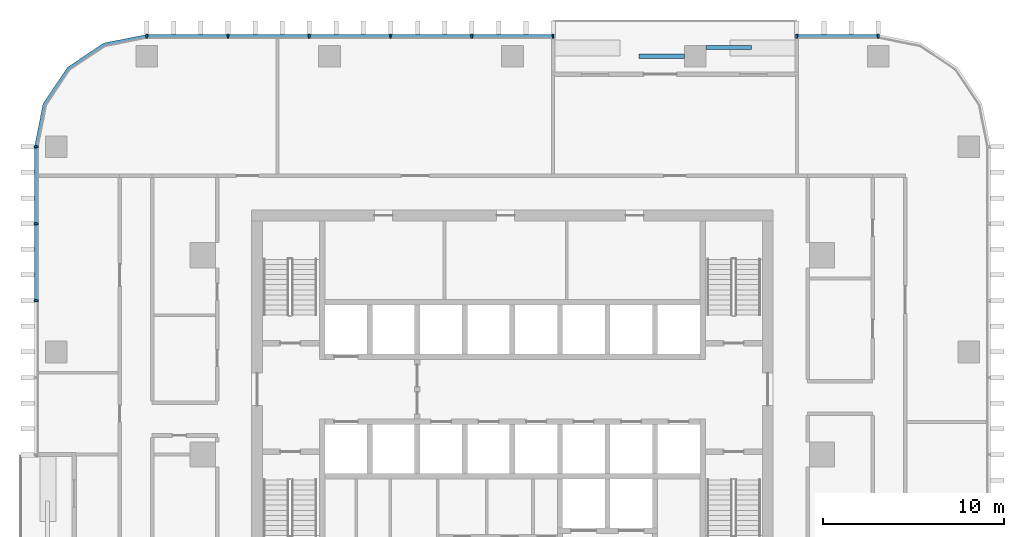
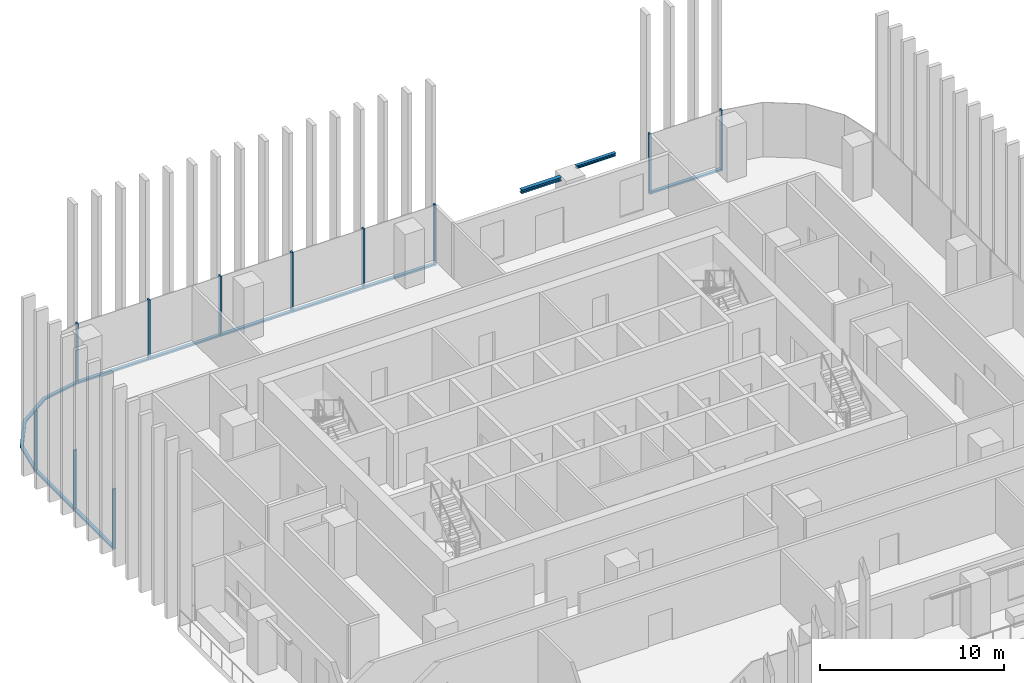
# One storey, part 4 of 16: 20 members, 2 beams, 4 elements without a shape of their own.
"""IFC4 building model written with IfcOpenShell, lengths in metres."""

from ifc_helpers import new_model, si_unit, direction, frame, origin, origin_2d, place, context, subcontext, project, spatial, polyline, rectangle, i_section, outline, extrude, material, material_profile, profile_set, type_object, element, aggregate, save


model = new_model("IFC4")

# Units and contexts
model_context = context("Model", 3, precision=1e-05, world=origin(), true_north=direction((0.0, 1.0)))
body_context = subcontext(model_context, "Body", "Model", "MODEL_VIEW")
ifc_project = project(units=[si_unit("LENGTHUNIT", "METRE"), si_unit("AREAUNIT", "SQUARE_METRE"), si_unit("VOLUMEUNIT", "CUBIC_METRE"), si_unit("PLANEANGLEUNIT", "RADIAN"), si_unit("MASSUNIT", "GRAM", prefix="KILO")], contexts=[model_context])

# Site, building, storey
site_placement = place(None, origin())
site = spatial("IfcSite", under=ifc_project, at=site_placement, CompositionType="ELEMENT")
building_placement = place(site_placement, origin())
building = spatial("IfcBuilding", under=site, at=building_placement, Name="Mopane Tessera Tower", CompositionType="ELEMENT")
storey_placement = place(building_placement, frame((0.0, 0.0, 193.0)))
storey = spatial("IfcBuildingStorey", under=building, at=storey_placement, Name="L40", CompositionType="ELEMENT", Elevation=193.0)

# Curtain wall, members
ifc_material_1 = material(Name="Aluminium frame", Category="aluminium")
curtain_wall_type = type_object("IfcCurtainWallType", Name="Unitised curtain wall", PredefinedType="NOTDEFINED", material=ifc_material_1)
curtain_wall_1_placement = place(storey_placement, origin())
curtain_wall_1 = element("IfcCurtainWall", 1, at=curtain_wall_1_placement, inside=storey, type_object=curtain_wall_type, Name="e:cw:L40:N:0", PredefinedType="NOTDEFINED")
ifc_material_2 = material(Name="Aluminium frame", Category="aluminium")
ifc_material_profile_1 = material_profile(ifc_material_2, rectangle(XDim=0.10009765625, YDim=0.199951171875, at=origin_2d()))
ifc_profile_set_1 = profile_set([ifc_material_profile_1], Name="Aluminium frame")
member_type_1 = type_object("IfcMemberType", Name="Aluminium mullion 100 x 200", PredefinedType="MULLION", material=ifc_profile_set_1)
member_1_placement = place(storey_placement, frame((20.199951171875, 23.10009765625, -0.39990234375), z_axis=(0.0, 0.0, 1.0), x_axis=(-1.0, 0.0, 0.0)))
member_1 = element("IfcMember", 2, at=member_1_placement, type_object=member_type_1, Name="e:cw:L40:N:0:mu0", PredefinedType="MULLION", context=body_context, shape_type="SweptSolid", body=[
    extrude(rectangle(XDim=0.10009765625, YDim=0.199951171875, at=origin_2d()), origin(), (0.0, 0.0, 1.0), 4.0),
])
member_2_placement = place(storey_placement, frame((15.711181640625, 23.10009765625, -0.39990234375), z_axis=(0.0, 0.0, 1.0), x_axis=(-1.0, 0.0, 0.0)))
member_2 = element("IfcMember", 3, at=member_2_placement, type_object=member_type_1, Name="e:cw:L40:N:0:mu1", PredefinedType="MULLION", context=body_context, shape_type="SweptSolid", body=[
    extrude(rectangle(XDim=0.10009765625, YDim=0.199951171875, at=origin_2d()), origin(), (0.0, 0.0, 1.0), 4.0),
])

curtain_wall_2_placement = place(storey_placement, origin())
curtain_wall_2 = element("IfcCurtainWall", 4, at=curtain_wall_2_placement, inside=storey, type_object=curtain_wall_type, Name="e:cw:L40:N:4", PredefinedType="NOTDEFINED")
member_3_placement = place(storey_placement, frame((2.244384765625, 23.10009765625, -0.39990234375), z_axis=(0.0, 0.0, 1.0), x_axis=(-1.0, 0.0, 0.0)))
member_3 = element("IfcMember", 5, at=member_3_placement, type_object=member_type_1, Name="e:cw:L40:N:4:mu4", PredefinedType="MULLION", context=body_context, shape_type="SweptSolid", body=[
    extrude(rectangle(XDim=0.10009765625, YDim=0.199951171875, at=origin_2d()), origin(), (0.0, 0.0, 1.0), 4.0),
])
member_4_placement = place(storey_placement, frame((-2.244384765625, 23.10009765625, -0.39990234375), z_axis=(0.0, 0.0, 1.0), x_axis=(-1.0, 0.0, 0.0)))
member_4 = element("IfcMember", 6, at=member_4_placement, type_object=member_type_1, Name="e:cw:L40:N:4:mu5", PredefinedType="MULLION", context=body_context, shape_type="SweptSolid", body=[
    extrude(rectangle(XDim=0.10009765625, YDim=0.199951171875, at=origin_2d()), origin(), (0.0, 0.0, 1.0), 4.0),
])
member_5_placement = place(storey_placement, frame((-6.7333984375, 23.10009765625, -0.39990234375), z_axis=(0.0, 0.0, 1.0), x_axis=(-1.0, 0.0, 0.0)))
member_5 = element("IfcMember", 7, at=member_5_placement, type_object=member_type_1, Name="e:cw:L40:N:4:mu6", PredefinedType="MULLION", context=body_context, shape_type="SweptSolid", body=[
    extrude(rectangle(XDim=0.10009765625, YDim=0.199951171875, at=origin_2d()), origin(), (0.0, 0.0, 1.0), 4.0),
])
member_6_placement = place(storey_placement, frame((-11.22216796875, 23.10009765625, -0.39990234375), z_axis=(0.0, 0.0, 1.0), x_axis=(-1.0, 0.0, 0.0)))
member_6 = element("IfcMember", 8, at=member_6_placement, type_object=member_type_1, Name="e:cw:L40:N:4:mu7", PredefinedType="MULLION", context=body_context, shape_type="SweptSolid", body=[
    extrude(rectangle(XDim=0.10009765625, YDim=0.199951171875, at=origin_2d()), origin(), (0.0, 0.0, 1.0), 4.0),
])
member_7_placement = place(storey_placement, frame((-15.711181640625, 23.10009765625, -0.39990234375), z_axis=(0.0, 0.0, 1.0), x_axis=(-1.0, 0.0, 0.0)))
member_7 = element("IfcMember", 9, at=member_7_placement, type_object=member_type_1, Name="e:cw:L40:N:4:mu8", PredefinedType="MULLION", context=body_context, shape_type="SweptSolid", body=[
    extrude(rectangle(XDim=0.10009765625, YDim=0.199951171875, at=origin_2d()), origin(), (0.0, 0.0, 1.0), 4.0),
])
member_8_placement = place(storey_placement, frame((-20.199951171875, 23.10009765625, -0.39990234375), z_axis=(0.0, 0.0, 1.0), x_axis=(-1.0, 0.0, 0.0)))
member_8 = element("IfcMember", 10, at=member_8_placement, type_object=member_type_1, Name="e:cw:L40:N:4:mu9", PredefinedType="MULLION", context=body_context, shape_type="SweptSolid", body=[
    extrude(rectangle(XDim=0.10009765625, YDim=0.199951171875, at=origin_2d()), origin(), (0.0, 0.0, 1.0), 4.0),
])

curtain_wall_3_placement = place(storey_placement, origin())
curtain_wall_3 = element("IfcCurtainWall", 11, at=curtain_wall_3_placement, inside=storey, type_object=curtain_wall_type, Name="e:cw:L40:W:0", PredefinedType="NOTDEFINED")
member_9_placement = place(storey_placement, frame((-26.300048828125, 17.0, -0.39990234375), z_axis=(0.0, 0.0, 1.0), x_axis=(0.0, -1.0, 0.0)))
member_9 = element("IfcMember", 12, at=member_9_placement, type_object=member_type_1, Name="e:cw:L40:W:0:mu0", PredefinedType="MULLION", context=body_context, shape_type="SweptSolid", body=[
    extrude(rectangle(XDim=0.10009765625, YDim=0.199951171875, at=origin_2d()), origin(), (0.0, 0.0, 1.0), 4.0),
])
member_10_placement = place(storey_placement, frame((-26.300048828125, 12.75, -0.39990234375), z_axis=(0.0, 0.0, 1.0), x_axis=(0.0, -1.0, 0.0)))
member_10 = element("IfcMember", 13, at=member_10_placement, type_object=member_type_1, Name="e:cw:L40:W:0:mu1", PredefinedType="MULLION", context=body_context, shape_type="SweptSolid", body=[
    extrude(rectangle(XDim=0.10009765625, YDim=0.199951171875, at=origin_2d()), origin(), (0.0, 0.0, 1.0), 4.0),
])
member_11_placement = place(storey_placement, frame((-26.300048828125, 8.5, -0.39990234375), z_axis=(0.0, 0.0, 1.0), x_axis=(0.0, -1.0, 0.0)))
member_11 = element("IfcMember", 14, at=member_11_placement, type_object=member_type_1, Name="e:cw:L40:W:0:mu2", PredefinedType="MULLION", context=body_context, shape_type="SweptSolid", body=[
    extrude(rectangle(XDim=0.10009765625, YDim=0.199951171875, at=origin_2d()), origin(), (0.0, 0.0, 1.0), 4.0),
])

# Member
ifc_material_3 = material(Name="Aluminium frame", Category="aluminium")
ifc_material_profile_2 = material_profile(ifc_material_3, rectangle(XDim=0.199951171875, YDim=0.1201171875, at=origin_2d()))
ifc_profile_set_2 = profile_set([ifc_material_profile_2], Name="Aluminium frame")
member_type_2 = type_object("IfcMemberType", Name="Aluminium transom 200 x 120", PredefinedType="USERDEFINED", material=ifc_profile_set_2)
member_12_placement = place(storey_placement, frame((20.14990234375, 23.10009765625, -0.340087890625), z_axis=(-1.0, 0.0, 0.0), x_axis=(0.0, -1.0, 0.0)))
member_12 = element("IfcMember", 15, at=member_12_placement, type_object=member_type_2, Name="e:cw:L40:N:0:tr0", ObjectType="TRANSOM", PredefinedType="USERDEFINED", context=body_context, shape_type="SweptSolid", body=[
    extrude(rectangle(XDim=0.199951171875, YDim=0.1201171875, at=origin_2d()), origin(), (0.0, 0.0, 1.0), 4.388671875),
])

aggregate(curtain_wall_1, [member_1, member_2, member_12])

member_13_placement = place(storey_placement, frame((2.1943359375, 23.10009765625, -0.340087890625), z_axis=(-1.0, 0.0, 0.0), x_axis=(0.0, -1.0, 0.0)))
member_13 = element("IfcMember", 16, at=member_13_placement, type_object=member_type_2, Name="e:cw:L40:N:4:tr4", ObjectType="TRANSOM", PredefinedType="USERDEFINED", context=body_context, shape_type="SweptSolid", body=[
    extrude(rectangle(XDim=0.199951171875, YDim=0.1201171875, at=origin_2d()), origin(), (0.0, 0.0, 1.0), 4.388671875),
])

member_14_placement = place(storey_placement, frame((-2.29443359375, 23.10009765625, -0.340087890625), z_axis=(-1.0, 0.0, 0.0), x_axis=(0.0, -1.0, 0.0)))
member_14 = element("IfcMember", 17, at=member_14_placement, type_object=member_type_2, Name="e:cw:L40:N:4:tr5", ObjectType="TRANSOM", PredefinedType="USERDEFINED", context=body_context, shape_type="SweptSolid", body=[
    extrude(rectangle(XDim=0.199951171875, YDim=0.1201171875, at=origin_2d()), origin(), (0.0, 0.0, 1.0), 4.388916015625),
])

member_15_placement = place(storey_placement, frame((-6.783447265625, 23.10009765625, -0.340087890625), z_axis=(-1.0, 0.0, 0.0), x_axis=(0.0, -1.0, 0.0)))
member_15 = element("IfcMember", 18, at=member_15_placement, type_object=member_type_2, Name="e:cw:L40:N:4:tr6", ObjectType="TRANSOM", PredefinedType="USERDEFINED", context=body_context, shape_type="SweptSolid", body=[
    extrude(rectangle(XDim=0.199951171875, YDim=0.1201171875, at=origin_2d()), origin(), (0.0, 0.0, 1.0), 4.388671875),
])

member_16_placement = place(storey_placement, frame((-11.272216796875, 23.10009765625, -0.340087890625), z_axis=(-1.0, 0.0, 0.0), x_axis=(0.0, -1.0, 0.0)))
member_16 = element("IfcMember", 19, at=member_16_placement, type_object=member_type_2, Name="e:cw:L40:N:4:tr7", ObjectType="TRANSOM", PredefinedType="USERDEFINED", context=body_context, shape_type="SweptSolid", body=[
    extrude(rectangle(XDim=0.199951171875, YDim=0.1201171875, at=origin_2d()), origin(), (0.0, 0.0, 1.0), 4.388916015625),
])

member_17_placement = place(storey_placement, frame((-15.76123046875, 23.10009765625, -0.340087890625), z_axis=(-1.0, 0.0, 0.0), x_axis=(0.0, -1.0, 0.0)))
member_17 = element("IfcMember", 20, at=member_17_placement, type_object=member_type_2, Name="e:cw:L40:N:4:tr8", ObjectType="TRANSOM", PredefinedType="USERDEFINED", context=body_context, shape_type="SweptSolid", body=[
    extrude(rectangle(XDim=0.199951171875, YDim=0.1201171875, at=origin_2d()), origin(), (0.0, 0.0, 1.0), 4.388671875),
])

aggregate(curtain_wall_2, [member_3, member_4, member_5, member_6, member_7, member_8, member_13, member_14, member_15, member_16, member_17])

# Curtain wall, member
curtain_wall_4_placement = place(storey_placement, origin())
curtain_wall_4 = element("IfcCurtainWall", 21, at=curtain_wall_4_placement, inside=storey, type_object=curtain_wall_type, Name="e:cw:L40:CN", PredefinedType="NOTDEFINED")
member_18_placement = place(storey_placement, frame((0.0, 0.0, -0.39990234375)))
member_18 = element("IfcMember", 22, at=member_18_placement, type_object=member_type_2, Name="e:cw:L40:CN:tr", ObjectType="TRANSOM", PredefinedType="USERDEFINED", context=body_context, shape_type="SweptSolid", body=[
    extrude(outline(polyline([(-20.199951171875, 23.0), (-22.49609375, 22.543212890625), (-24.442626953125, 21.24267578125), (-25.7431640625, 19.296142578125), (-26.199951171875, 17.0), (-26.39990234375, 17.0), (-25.927978515625, 19.37255859375), (-24.583984375, 21.384033203125), (-22.57275390625, 22.72802734375), (-20.199951171875, 23.199951171875), (-20.199951171875, 23.0)])), origin(), (0.0, 0.0, 1.0), 0.119873046875),
])
aggregate(curtain_wall_4, [member_18])

# Member
member_19_placement = place(storey_placement, frame((-26.300048828125, 16.949951171875, -0.340087890625), z_axis=(0.0, -1.0, 0.0), x_axis=(1.0, 0.0, 0.0)))
member_19 = element("IfcMember", 23, at=member_19_placement, type_object=member_type_2, Name="e:cw:L40:W:0:tr0", ObjectType="TRANSOM", PredefinedType="USERDEFINED", context=body_context, shape_type="SweptSolid", body=[
    extrude(rectangle(XDim=0.199951171875, YDim=0.1201171875, at=origin_2d()), origin(), (0.0, 0.0, 1.0), 4.14990234375),
])

member_20_placement = place(storey_placement, frame((-26.300048828125, 12.699951171875, -0.340087890625), z_axis=(0.0, -1.0, 0.0), x_axis=(1.0, 0.0, 0.0)))
member_20 = element("IfcMember", 24, at=member_20_placement, type_object=member_type_2, Name="e:cw:L40:W:0:tr1", ObjectType="TRANSOM", PredefinedType="USERDEFINED", context=body_context, shape_type="SweptSolid", body=[
    extrude(rectangle(XDim=0.199951171875, YDim=0.1201171875, at=origin_2d()), origin(), (0.0, 0.0, 1.0), 4.14990234375),
])

aggregate(curtain_wall_3, [member_9, member_10, member_11, member_19, member_20])

# Beams
ifc_material_4 = material(Name="Structural steel S460", Category="steel")
ifc_material_profile_3 = material_profile(ifc_material_4, i_section(OverallWidth=0.239990234375, OverallDepth=0.239990234375, WebThickness=0.010009765625, FlangeThickness=0.01708984375, FilletRadius=0.02099609375, at=origin_2d()))
ifc_profile_set_3 = profile_set([ifc_material_profile_3], Name="Structural steel S460")
beam_type_1 = type_object("IfcBeamType", Name="Terrace spandrel beam HE 240 B", PredefinedType="SPANDREL", material=ifc_profile_set_3)
beam_1_placement = place(storey_placement, frame((9.4970703125, 22.0, 3.47998046875), z_axis=(-1.0, 0.0, 0.0), x_axis=(0.0, -1.0, 0.0)))
element("IfcBeam", 25, at=beam_1_placement, inside=storey, type_object=beam_type_1, Name="Terrace spandrel beam N3 L41", PredefinedType="SPANDREL", context=body_context, shape_type="SweptSolid", body=[
    extrude(i_section(OverallWidth=0.239990234375, OverallDepth=0.239990234375, WebThickness=0.010009765625, FlangeThickness=0.01708984375, FilletRadius=0.02099609375, at=origin_2d()), origin(), (0.0, 0.0, 1.0), 2.5),
])
ifc_material_5 = material(Name="Structural steel S460", Category="steel")
ifc_material_profile_4 = material_profile(ifc_material_5, i_section(OverallWidth=0.199951171875, OverallDepth=0.199951171875, WebThickness=0.009033203125, FlangeThickness=0.014892578125, FilletRadius=0.01806640625, at=origin_2d()))
ifc_profile_set_4 = profile_set([ifc_material_profile_4], Name="Structural steel S460")
beam_type_2 = type_object("IfcBeamType", Name="Terrace trimmer beam HE 200 B", PredefinedType="BEAM", material=ifc_profile_set_4)
beam_2_placement = place(storey_placement, frame((10.703125, 22.47998046875, 3.5), z_axis=(1.0, 0.0, 0.0), x_axis=(0.0, 1.0, 0.0)))
element("IfcBeam", 26, at=beam_2_placement, inside=storey, type_object=beam_type_2, Name="Terrace trimmer beam N3 L41", PredefinedType="BEAM", context=body_context, shape_type="SweptSolid", body=[
    extrude(i_section(OverallWidth=0.199951171875, OverallDepth=0.199951171875, WebThickness=0.009033203125, FlangeThickness=0.014892578125, FilletRadius=0.01806640625, at=origin_2d()), origin(), (0.0, 0.0, 1.0), 2.5),
])

save(model, "model.ifc")
